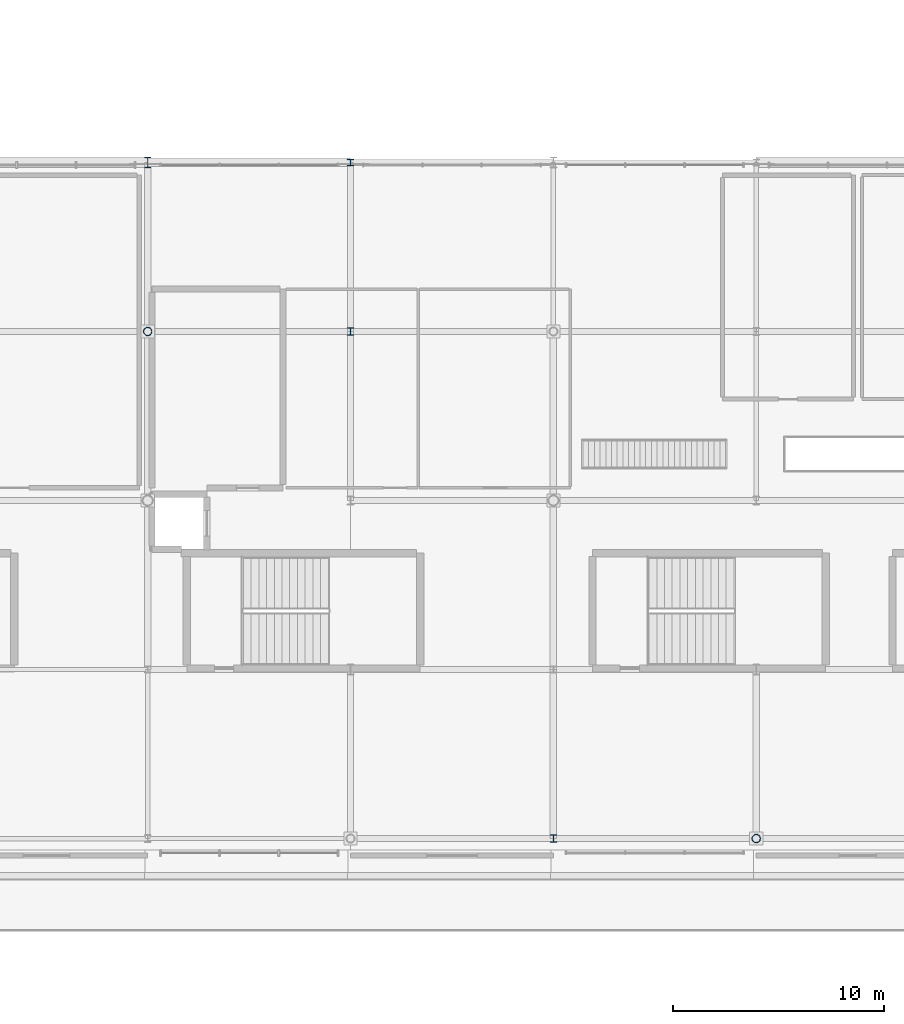
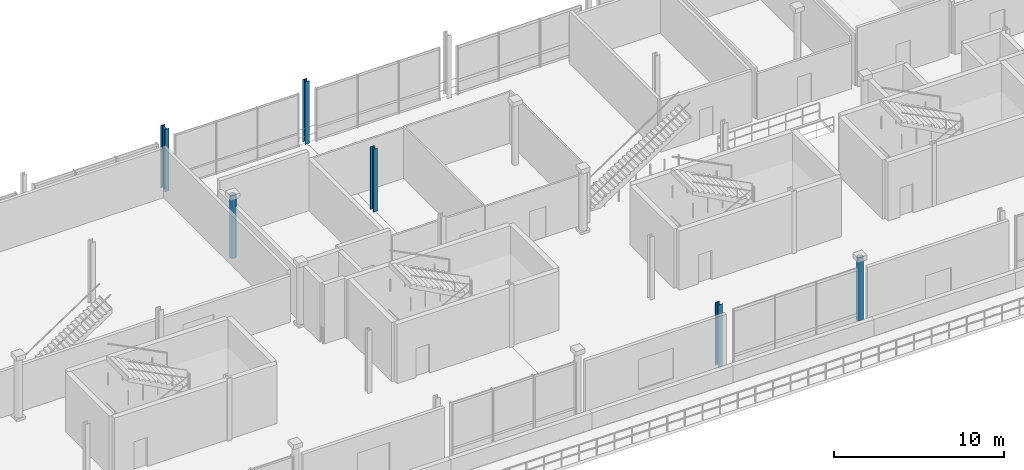
# One storey, part 4 of 36: 6 columns.
"""IFC4 building model written with IfcOpenShell, lengths in metres."""

import ifcopenshell
import ifcopenshell.guid

model = None  # the IFC model being written
_history = None  # IfcOwnerHistory: only IFC2X3 demands one
_inside = {}  # id of a spatial element -> (the spatial element, [elements in it])
_under = {}  # id of a project, library or spatial element -> (it, [spatial elements below it])
_declared = {}  # id of a project -> (the project, [libraries it declares])
_typed = {}  # id of a type object -> (the type object, [elements of that type])
_made_of = {}  # id of a material, layer set ... -> (it, [elements and type objects made of it])


def new_model(schema):
    """Start an empty IFC model of exactly this schema.

    Asked for "IFC4X3", IfcOpenShell would pick the latest addendum, in which some entities
    have other attributes; the version numbers below select the first issue.
    IFC2X3 requires an IfcOwnerHistory on every rooted entity: one is made here for all.
    """
    global model, _history
    if schema == "IFC4X3":
        model = ifcopenshell.file(schema_version=(4, 3, 0, 0))
    else:
        model = ifcopenshell.file(schema=schema)
    _inside.clear()
    _under.clear()
    _declared.clear()
    _typed.clear()
    _made_of.clear()
    _history = None
    if model.schema == "IFC2X3":
        org = make("IfcOrganization", Name="unknown")
        user = make(
            "IfcPersonAndOrganization",
            ThePerson=make("IfcPerson", FamilyName="unknown"),
            TheOrganization=org,
        )
        app = make(
            "IfcApplication",
            ApplicationDeveloper=org,
            Version="unknown",
            ApplicationFullName="unknown",
            ApplicationIdentifier="unknown",
        )
        _history = make(
            "IfcOwnerHistory",
            OwningUser=user,
            OwningApplication=app,
            ChangeAction="ADDED",
            CreationDate=0,
        )
    return model


def make(cls, **values):
    """One entity of the class cls with the attributes given. An attribute that is None is left unset."""
    return model.create_entity(
        cls, **{name: value for name, value in values.items() if value is not None}
    )


def rooted(cls, **values):
    """An entity with a GlobalId (a new one), such as an element, a storey or a relation."""
    return make(cls, GlobalId=ifcopenshell.guid.new(), OwnerHistory=_history, **values)


def si_unit(unit_type, name, prefix=None):
    """IfcSIUnit, for example si_unit("LENGTHUNIT", "METRE", prefix="MILLI")."""
    return make("IfcSIUnit", UnitType=unit_type, Prefix=prefix, Name=name)


def assignment(units):
    """IfcUnitAssignment: the units of a project."""
    return None if units is None else make("IfcUnitAssignment", Units=units)


def point(xyz):
    """IfcCartesianPoint."""
    return None if xyz is None else make("IfcCartesianPoint", Coordinates=xyz)


def direction(xyz):
    """IfcDirection."""
    return None if xyz is None else make("IfcDirection", DirectionRatios=xyz)


def frame(location, z_axis=None, x_axis=None):
    """IfcAxis2Placement3D, a coordinate frame: its origin and axes. An axis left out is left unset."""
    return make(
        "IfcAxis2Placement3D",
        Location=point(location),
        Axis=direction(z_axis),
        RefDirection=direction(x_axis),
    )


def frame_2d(location, x_axis=None):
    """IfcAxis2Placement2D, a coordinate frame in the plane: its origin and x axis."""
    return make(
        "IfcAxis2Placement2D", Location=point(location), RefDirection=direction(x_axis)
    )


def origin():
    """The frame at (0, 0, 0) with its axes left unset."""
    return frame((0.0, 0.0, 0.0))


def origin_2d():
    """The frame at (0, 0) in the plane with its x axis left unset."""
    return frame_2d((0.0, 0.0))


def place(relative_to, where):
    """IfcLocalPlacement: puts the frame where relative to a parent placement (None: the world)."""
    return make(
        "IfcLocalPlacement", PlacementRelTo=relative_to, RelativePlacement=where
    )


def context(
    kind, dimensions, precision=None, world=None, true_north=None, identifier=None
):
    """IfcGeometricRepresentationContext, for example the 3D "Model" context."""
    return make(
        "IfcGeometricRepresentationContext",
        ContextIdentifier=identifier,
        ContextType=kind,
        CoordinateSpaceDimension=dimensions,
        Precision=precision,
        WorldCoordinateSystem=world,
        TrueNorth=true_north,
    )


def subcontext(parent, identifier, kind, view, scale=None):
    """IfcGeometricRepresentationSubContext, for example "Body" below "Model"."""
    return make(
        "IfcGeometricRepresentationSubContext",
        ContextIdentifier=identifier,
        ContextType=kind,
        ParentContext=parent,
        TargetScale=scale,
        TargetView=view,
    )


def project(units=None, contexts=None):
    """IfcProject with its units and contexts."""
    return rooted(
        "IfcProject",
        Name="project",
        RepresentationContexts=contexts,
        UnitsInContext=assignment(units),
    )


def spatial(cls, under=None, at=None, **own):
    """A site, building, storey or space (cls), placed at a placement, below another one or the project."""
    s = rooted(cls, ObjectPlacement=at, **own)
    if under is not None:
        _under.setdefault(under.id(), (under, []))[1].append(s)
    return s


def profile(cls, at=None, kind="AREA", **sizes):
    """A parametric profile (cls). Its sizes go by their IFC names, for example OverallWidth=200.0."""
    return make(cls, ProfileType=kind, Position=at, **sizes)


def hollow_circle(**sizes):
    """IfcCircleHollowProfileDef."""
    return profile("IfcCircleHollowProfileDef", **sizes)


def i_section(**sizes):
    """IfcIShapeProfileDef."""
    return profile("IfcIShapeProfileDef", **sizes)


def extrude(swept, where, along, depth):
    """IfcExtrudedAreaSolid: the profile swept, set in the frame where, extruded along a direction by depth."""
    return make(
        "IfcExtrudedAreaSolid",
        SweptArea=swept,
        Position=where,
        ExtrudedDirection=direction(along),
        Depth=depth,
    )


def shape(context_of_items, identifier, shape_type, items):
    """IfcShapeRepresentation: the items that make up one representation, for example the "Body"."""
    return make(
        "IfcShapeRepresentation",
        ContextOfItems=context_of_items,
        RepresentationIdentifier=identifier,
        RepresentationType=shape_type,
        Items=items,
    )


def material(Name=None, Category=None):
    """IfcMaterial."""
    return make("IfcMaterial", Name=Name, Category=Category)


def material_profile(
    of_material, cross_section, Name=None, Category=None, Priority=None
):
    """IfcMaterialProfile: a cross section and its material."""
    return make(
        "IfcMaterialProfile",
        Name=Name,
        Material=of_material,
        Profile=cross_section,
        Priority=Priority,
        Category=Category,
    )


def profile_set(profiles, Name=None, composite=None):
    """IfcMaterialProfileSet."""
    return make(
        "IfcMaterialProfileSet",
        Name=Name,
        MaterialProfiles=profiles,
        CompositeProfile=composite,
    )


def made_of(thing, what):
    """Note that an element or type object is made of a material, layer set ...; save() writes the relation."""
    if what is not None:
        _made_of.setdefault(what.id(), (what, []))[1].append(thing)
    return thing


def type_object(cls, material=None, **own):
    """A type object (cls), such as IfcWallType, which elements share."""
    return made_of(rooted(cls, **own), material)


def element(
    cls,
    number,
    at=None,
    inside=None,
    cuts=None,
    type_object=None,
    material=None,
    context=None,
    identifier="Body",
    shape_type=None,
    held_by="IfcProductDefinitionShape",
    body=None,
    shapes=None,
    **own,
):
    """One element of the class cls, such as IfcWall. Its Tag is "e" and its number.

    at: its placement. inside: the storey or other place that contains it. cuts: it is an
    opening in that element (IfcRelVoidsElement). A single representation is given by context,
    identifier, shape_type and body (its items); several are given by shapes. held_by: the class
    of the entity that holds the representations. save() writes the other relations.
    """
    e = rooted(cls, Tag="e%d" % number, ObjectPlacement=at, **own)
    if body is not None:
        shapes = [shape(context, identifier, shape_type, body)]
    if shapes is not None:
        e.Representation = make(held_by, Representations=shapes)
    if inside is not None:
        _inside.setdefault(inside.id(), (inside, []))[1].append(e)
    if cuts is not None:
        rooted(
            "IfcRelVoidsElement", RelatingBuildingElement=cuts, RelatedOpeningElement=e
        )
    if type_object is not None:
        _typed.setdefault(type_object.id(), (type_object, []))[1].append(e)
    return made_of(e, material)


def aggregate(whole, parts):
    """IfcRelAggregates: a whole, such as a stair, and the parts it consists of."""
    return rooted("IfcRelAggregates", RelatingObject=whole, RelatedObjects=parts)


def save(model, path):
    """Write the relations noted so far, then the file.

    IfcRelAggregates (storeys below a building ...), IfcRelContainedInSpatialStructure (elements
    in a storey), IfcRelDefinesByType, IfcRelAssociatesMaterial and IfcRelDeclares: one each for
    every whole, place, type object, material and project.
    """
    for whole, parts in _under.values():
        aggregate(whole, parts)
    for where, things in _inside.values():
        rooted(
            "IfcRelContainedInSpatialStructure",
            RelatedElements=things,
            RelatingStructure=where,
        )
    for kind, things in _typed.values():
        rooted("IfcRelDefinesByType", RelatedObjects=things, RelatingType=kind)
    for what, things in _made_of.values():
        rooted("IfcRelAssociatesMaterial", RelatedObjects=things, RelatingMaterial=what)
    for by, libraries in _declared.values():
        rooted("IfcRelDeclares", RelatingContext=by, RelatedDefinitions=libraries)
    model.write(path)


model = new_model("IFC4")

# Units and contexts
model_context = context("Model", 3, precision=1e-05, world=origin(), true_north=direction((0.0, 1.0)))
body_context = subcontext(model_context, "Body", "Model", "MODEL_VIEW")
ifc_project = project(units=[si_unit("LENGTHUNIT", "METRE"), si_unit("AREAUNIT", "SQUARE_METRE"), si_unit("VOLUMEUNIT", "CUBIC_METRE"), si_unit("PLANEANGLEUNIT", "RADIAN"), si_unit("MASSUNIT", "GRAM", prefix="KILO")], contexts=[model_context])

# Site, building, storey
site_placement = place(None, origin())
site = spatial("IfcSite", under=ifc_project, at=site_placement, CompositionType="ELEMENT")
building_placement = place(site_placement, origin())
building = spatial("IfcBuilding", under=site, at=building_placement, Name="Danafjord Basin Convention Centre", CompositionType="ELEMENT")
storey_placement = place(building_placement, frame((0.0, 0.0, 20.39990234375)))
storey = spatial("IfcBuildingStorey", under=building, at=storey_placement, Name="L04", CompositionType="ELEMENT", Elevation=20.39990234375)

# Columns
ifc_material = material(Name="Steel S355", Category="steel")
ifc_material_profile_1 = material_profile(ifc_material, hollow_circle(Radius=0.203125, WallThickness=0.02001953125, at=origin_2d()), Name="CHS 406.4x20.0")
ifc_profile_set_1 = profile_set([ifc_material_profile_1], Name="Steel S355")
column_type_1 = type_object("IfcColumnType", Name="COL-C-CHS406", PredefinedType="COLUMN", material=ifc_profile_set_1)
for number, where, z_axis, x_axis, name in (
    (1, (48.0, 32.0, 0.0), (0.0, 0.0, 1.0), (1.0, 0.0, 0.0), "L04 column C-CHS406 at (48.0, 32.0)"),
    (2, (76.800048828125, 8.0, 0.0), (0.0, 0.0, 1.0), (1.0, 0.0, 0.0), "L04 column C-CHS406 at (76.8, 8.0)"),
):
    element("IfcColumn", number, at=place(storey_placement, frame(where, z_axis=z_axis, x_axis=x_axis)), inside=storey, type_object=column_type_1, Name=name, PredefinedType="COLUMN", context=body_context, shape_type="SweptSolid", body=[
        extrude(hollow_circle(Radius=0.203125, WallThickness=0.02001953125, at=origin_2d()), origin(), (0.0, 0.0, 1.0), 4.5),
    ])
ifc_material_profile_2 = material_profile(ifc_material, i_section(OverallWidth=0.300048828125, OverallDepth=0.300048828125, WebThickness=0.010986328125, FlangeThickness=0.01904296875, FilletRadius=0.027099609375, at=origin_2d()), Name="HEB 300")
ifc_profile_set_2 = profile_set([ifc_material_profile_2], Name="Steel S355")
column_type_2 = type_object("IfcColumnType", Name="COL-C-HEB300", PredefinedType="COLUMN", material=ifc_profile_set_2)
column_1_placement = place(storey_placement, frame((57.60009765625, 40.0, 0.0), z_axis=(0.0, 0.0, 1.0), x_axis=(1.0, 0.0, 0.0)))
element("IfcColumn", 3, at=column_1_placement, inside=storey, type_object=column_type_2, Name="L04 column C-HEB300 at (57.6, 40.0)", PredefinedType="COLUMN", context=body_context, shape_type="SweptSolid", body=[
    extrude(i_section(OverallWidth=0.300048828125, OverallDepth=0.300048828125, WebThickness=0.010986328125, FlangeThickness=0.01904296875, FilletRadius=0.027099609375, at=origin_2d()), origin(), (0.0, 0.0, 1.0), 4.5),
])
ifc_material_profile_3 = material_profile(ifc_material, i_section(OverallWidth=0.300048828125, OverallDepth=0.360107421875, WebThickness=0.012451171875, FlangeThickness=0.0224609375, FilletRadius=0.027099609375, at=origin_2d()), Name="HEB 360")
ifc_profile_set_3 = profile_set([ifc_material_profile_3], Name="Steel S355")
column_type_3 = type_object("IfcColumnType", Name="COL-C-HEB360", PredefinedType="COLUMN", material=ifc_profile_set_3)
for number, where, z_axis, x_axis, name in (
    (4, (57.60009765625, 32.0, 0.0), (0.0, 0.0, 1.0), (1.0, 0.0, 0.0), "L04 column C-HEB360 at (57.6, 32.0)"),
    (5, (67.199951171875, 8.0, 0.0), (0.0, 0.0, 1.0), (1.0, 0.0, 0.0), "L04 column C-HEB360 at (67.2, 8.0)"),
):
    element("IfcColumn", number, at=place(storey_placement, frame(where, z_axis=z_axis, x_axis=x_axis)), inside=storey, type_object=column_type_3, Name=name, PredefinedType="COLUMN", context=body_context, shape_type="SweptSolid", body=[
        extrude(i_section(OverallWidth=0.300048828125, OverallDepth=0.360107421875, WebThickness=0.012451171875, FlangeThickness=0.0224609375, FilletRadius=0.027099609375, at=origin_2d()), origin(), (0.0, 0.0, 1.0), 4.5),
    ])
ifc_material_profile_4 = material_profile(ifc_material, i_section(OverallWidth=0.300048828125, OverallDepth=0.5, WebThickness=0.014404296875, FlangeThickness=0.028076171875, FilletRadius=0.027099609375, at=origin_2d()), Name="HEB 500")
ifc_profile_set_4 = profile_set([ifc_material_profile_4], Name="Steel S355")
column_type_4 = type_object("IfcColumnType", Name="COL-C-HEB500", PredefinedType="COLUMN", material=ifc_profile_set_4)
column_2_placement = place(storey_placement, frame((48.0, 40.0, 0.0), z_axis=(0.0, 0.0, 1.0), x_axis=(1.0, 0.0, 0.0)))
element("IfcColumn", 6, at=column_2_placement, inside=storey, type_object=column_type_4, Name="L04 column C-HEB500 at (48.0, 40.0)", PredefinedType="COLUMN", context=body_context, shape_type="SweptSolid", body=[
    extrude(i_section(OverallWidth=0.300048828125, OverallDepth=0.5, WebThickness=0.014404296875, FlangeThickness=0.028076171875, FilletRadius=0.027099609375, at=origin_2d()), origin(), (0.0, 0.0, 1.0), 4.5),
])

save(model, "model.ifc")
